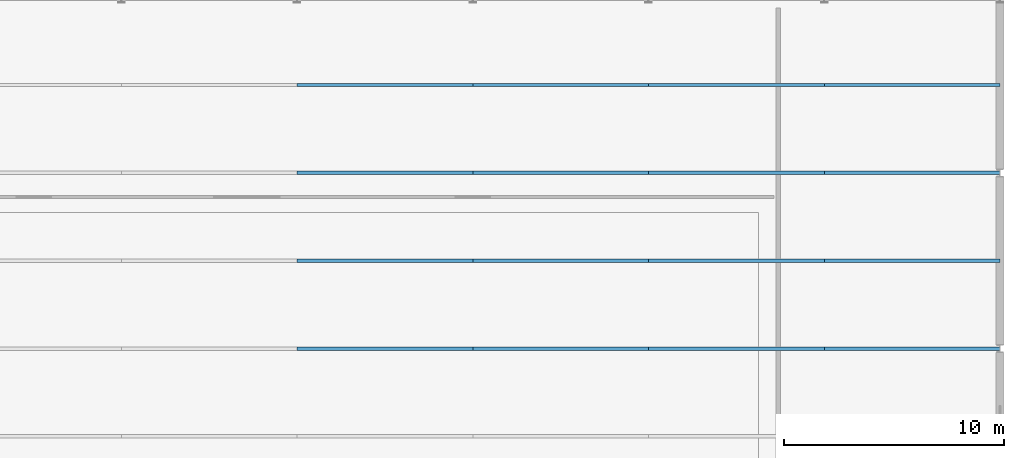
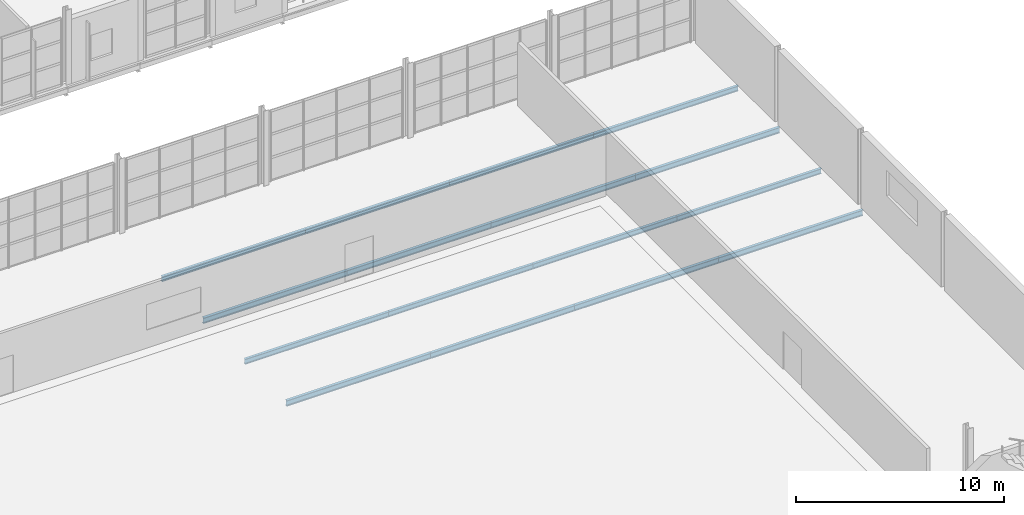
# One storey, part 110 of 153: 16 beams.
"""IFC4 building model written with IfcOpenShell, lengths in metres."""

from ifc_helpers import new_model, si_unit, derived_unit, direction, frame, origin, origin_2d, place, context, subcontext, project, spatial, i_section, extrude, material, material_profile, profile_set, type_object, element, save


model = new_model("IFC4")

# Units and contexts
model_context = context("Model", 3, precision=1e-05, world=origin(), true_north=direction((0.0, 1.0)))
body_context = subcontext(model_context, "Body", "Model", "MODEL_VIEW")
ifc_project = project(units=[si_unit("LENGTHUNIT", "METRE"), si_unit("AREAUNIT", "SQUARE_METRE"), si_unit("VOLUMEUNIT", "CUBIC_METRE"), si_unit("PLANEANGLEUNIT", "RADIAN"), si_unit("MASSUNIT", "GRAM", prefix="KILO"), derived_unit("THERMALTRANSMITTANCEUNIT", [(si_unit("POWERUNIT", "WATT"), 1), (si_unit("LENGTHUNIT", "METRE"), -2), (si_unit("THERMODYNAMICTEMPERATUREUNIT", "KELVIN"), -1)])], contexts=[model_context])

# Site, building, storey
site_placement = place(None, origin())
site = spatial("IfcSite", under=ifc_project, at=site_placement, CompositionType="ELEMENT")
building_placement = place(site_placement, origin())
building = spatial("IfcBuilding", under=site, at=building_placement, Name="Keldorne Ridge Multi-Sports Centre", CompositionType="ELEMENT")
storey_placement = place(building_placement, frame((0.0, 0.0, 9.60009765625)))
storey = spatial("IfcBuildingStorey", under=building, at=storey_placement, Name="L02", CompositionType="ELEMENT", Elevation=9.60009765625)

# Beams
ifc_material = material(Name="Steel S355", Category="steel")
ifc_material_profile_1 = material_profile(ifc_material, i_section(OverallWidth=0.159912109375, OverallDepth=0.330078125, WebThickness=0.007568359375, FlangeThickness=0.011474609375, FilletRadius=0.01806640625, at=origin_2d()), Name="IPE 330")
ifc_profile_set_1 = profile_set([ifc_material_profile_1], Name="Steel S355")
beam_type_1 = type_object("IfcBeamType", Name="BM-J-01", PredefinedType="JOIST", material=ifc_profile_set_1)
for number, where, z_axis, x_axis, name in (
    (1, (136.0, 38.0, -0.405029296875), (1.0, 0.0, 0.0), (0.0, 1.0, 0.0), "L02 Stacked Courts beam 5.9"),
    (2, (136.0, 46.0, -0.405029296875), (1.0, 0.0, 0.0), (0.0, 1.0, 0.0), "L02 Stacked Courts beam 5.11"),
    (3, (144.0, 38.0, -0.405029296875), (1.0, 0.0, 0.0), (0.0, 1.0, 0.0), "L02 Stacked Courts beam 6.9"),
    (4, (144.0, 46.0, -0.405029296875), (1.0, 0.0, 0.0), (0.0, 1.0, 0.0), "L02 Stacked Courts beam 6.11"),
    (5, (152.0, 38.0, -0.405029296875), (1.0, 0.0, 0.0), (0.0, 1.0, 0.0), "L02 Stacked Courts beam 7.9"),
    (6, (152.0, 46.0, -0.405029296875), (1.0, 0.0, 0.0), (0.0, 1.0, 0.0), "L02 Stacked Courts beam 7.11"),
    (7, (160.0, 38.0, -0.405029296875), (1.0, 0.0, 0.0), (0.0, 1.0, 0.0), "L02 Stacked Courts beam 8.9"),
    (8, (160.0, 46.0, -0.405029296875), (1.0, 0.0, 0.0), (0.0, 1.0, 0.0), "L02 Stacked Courts beam 8.11"),
):
    element("IfcBeam", number, at=place(storey_placement, frame(where, z_axis=z_axis, x_axis=x_axis)), inside=storey, type_object=beam_type_1, Name=name, PredefinedType="JOIST", context=body_context, shape_type="SweptSolid", body=[
        extrude(i_section(OverallWidth=0.159912109375, OverallDepth=0.330078125, WebThickness=0.007568359375, FlangeThickness=0.011474609375, FilletRadius=0.01806640625, at=origin_2d()), origin(), (0.0, 0.0, 1.0), 8.0),
    ])
ifc_material_profile_2 = material_profile(ifc_material, i_section(OverallWidth=0.14990234375, OverallDepth=0.300048828125, WebThickness=0.007080078125, FlangeThickness=0.0107421875, FilletRadius=0.014892578125, at=origin_2d()), Name="IPE 300")
ifc_profile_set_2 = profile_set([ifc_material_profile_2], Name="Steel S355")
beam_type_2 = type_object("IfcBeamType", Name="BM-J-02", PredefinedType="JOIST", material=ifc_profile_set_2)
for number, where, z_axis, x_axis, name in (
    (9, (136.0, 42.0, -0.39013671875), (1.0, 0.0, 0.0), (0.0, 1.0, 0.0), "L02 Stacked Courts beam 5.10"),
    (10, (136.0, 50.0, -0.39013671875), (1.0, 0.0, 0.0), (0.0, 1.0, 0.0), "L02 Stacked Courts beam 5.12"),
    (11, (144.0, 42.0, -0.39013671875), (1.0, 0.0, 0.0), (0.0, 1.0, 0.0), "L02 Stacked Courts beam 6.10"),
    (12, (144.0, 50.0, -0.39013671875), (1.0, 0.0, 0.0), (0.0, 1.0, 0.0), "L02 Stacked Courts beam 6.12"),
    (13, (152.0, 42.0, -0.39013671875), (1.0, 0.0, 0.0), (0.0, 1.0, 0.0), "L02 Stacked Courts beam 7.10"),
    (14, (152.0, 50.0, -0.39013671875), (1.0, 0.0, 0.0), (0.0, 1.0, 0.0), "L02 Stacked Courts beam 7.12"),
    (15, (160.0, 42.0, -0.39013671875), (1.0, 0.0, 0.0), (0.0, 1.0, 0.0), "L02 Stacked Courts beam 8.10"),
    (16, (160.0, 50.0, -0.39013671875), (1.0, 0.0, 0.0), (0.0, 1.0, 0.0), "L02 Stacked Courts beam 8.12"),
):
    element("IfcBeam", number, at=place(storey_placement, frame(where, z_axis=z_axis, x_axis=x_axis)), inside=storey, type_object=beam_type_2, Name=name, PredefinedType="JOIST", context=body_context, shape_type="SweptSolid", body=[
        extrude(i_section(OverallWidth=0.14990234375, OverallDepth=0.300048828125, WebThickness=0.007080078125, FlangeThickness=0.0107421875, FilletRadius=0.014892578125, at=origin_2d()), origin(), (0.0, 0.0, 1.0), 8.0),
    ])

save(model, "model.ifc")
